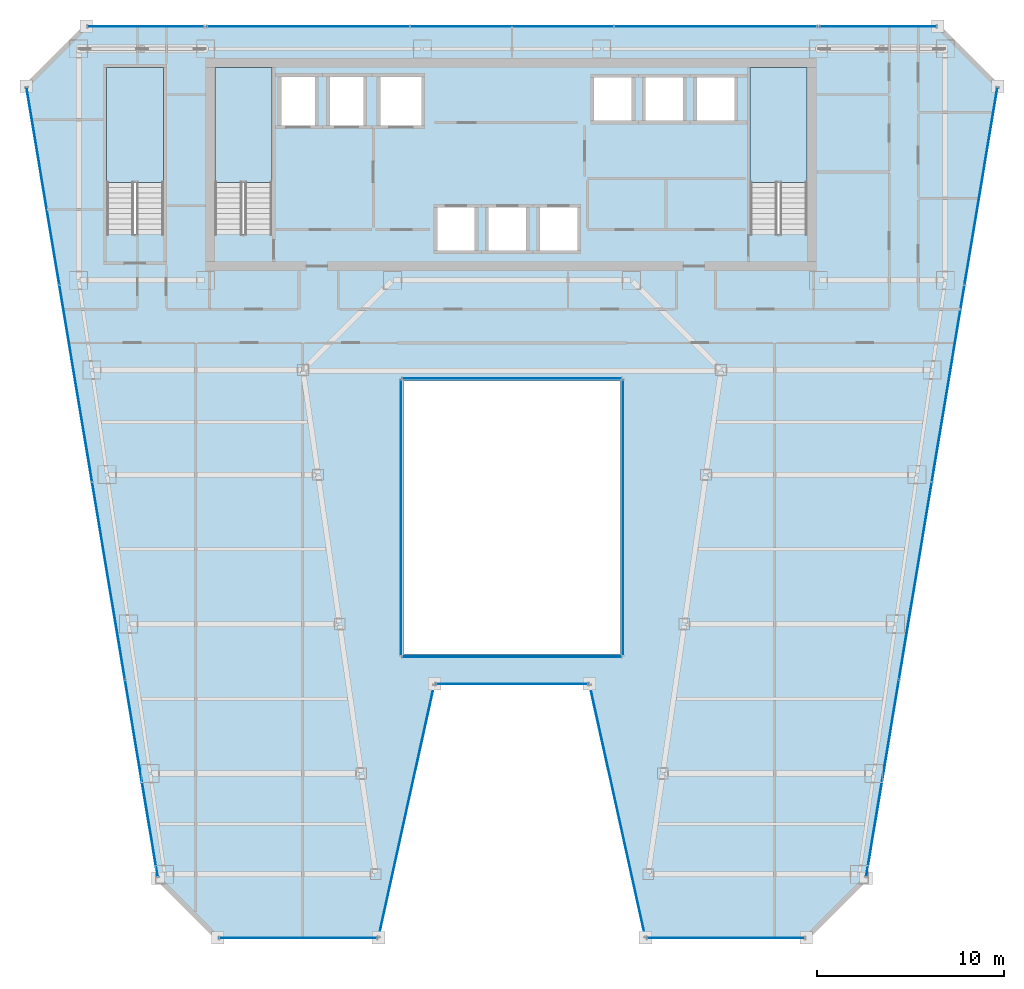
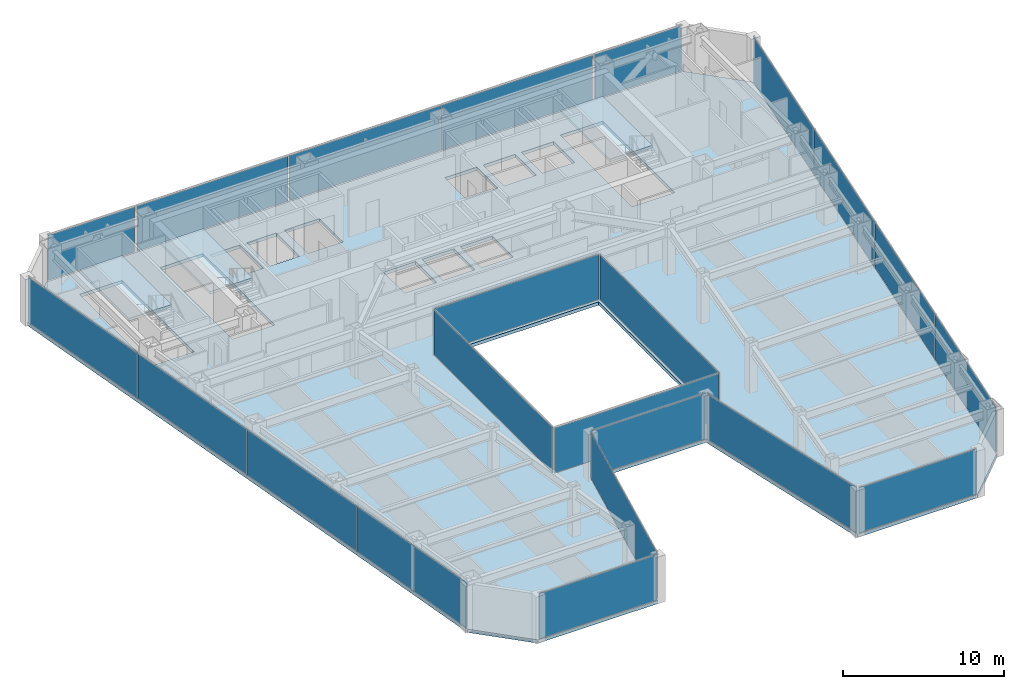
# One storey, part 29 of 37: 22 plates, 4 slabs, 17 elements without a shape of their own.
"""IFC4 building model written with IfcOpenShell, lengths in metres."""

from ifc_helpers import new_model, si_unit, direction, frame, origin, origin_2d, place, context, subcontext, project, spatial, polyline, rectangle, outline, extrude, material, layer, layer_set, type_object, element, aggregate, save


model = new_model("IFC4")

# Units and contexts
model_context = context("Model", 3, precision=1e-05, world=origin(), true_north=direction((0.0, 1.0)))
body_context = subcontext(model_context, "Body", "Model", "MODEL_VIEW")
ifc_project = project(units=[si_unit("LENGTHUNIT", "METRE"), si_unit("AREAUNIT", "SQUARE_METRE"), si_unit("VOLUMEUNIT", "CUBIC_METRE"), si_unit("PLANEANGLEUNIT", "RADIAN"), si_unit("MASSUNIT", "GRAM", prefix="KILO")], contexts=[model_context])

# Site, building, storey
site_placement = place(None, origin())
site = spatial("IfcSite", under=ifc_project, at=site_placement, CompositionType="ELEMENT")
building_placement = place(site_placement, origin())
building = spatial("IfcBuilding", under=site, at=building_placement, Name="Saevonmaru Cultural Tower", CompositionType="ELEMENT")
storey_placement = place(building_placement, frame((0.0, 0.0, 160.0)))
storey = spatial("IfcBuildingStorey", under=building, at=storey_placement, Name="L35", CompositionType="ELEMENT", Elevation=160.0)

# Curtain wall, plate
ifc_material_1 = material(Name="Satin Bronze Anodised Aluminium", Category="aluminium")
curtain_wall_type_1 = type_object("IfcCurtainWallType", Name="CW-ATR-GLZ", PredefinedType="NOTDEFINED", material=ifc_material_1)
curtain_wall_1_placement = place(storey_placement, origin())
curtain_wall_1 = element("IfcCurtainWall", 1, at=curtain_wall_1_placement, inside=storey, type_object=curtain_wall_type_1, Name="L35 Vertical Atrium Glazed Smoke Screen 1", PredefinedType="NOTDEFINED")
ifc_material_2 = material(Name="Fire-Rated Laminated Atrium Glass", Category="glass")
ifc_layer_1 = layer(ifc_material_2, 0.031982421875, Name="Fire-Rated Laminated Atrium Glass")
ifc_layer_set_1 = layer_set([ifc_layer_1], Name="Fire-Rated Laminated Atrium Glass")
plate_type_1 = type_object("IfcPlateType", Name="PN-GLZ-ATR-INT", PredefinedType="CURTAIN_PANEL", material=ifc_layer_set_1)
plate_1_placement = place(storey_placement, frame((30.0, 22.25, 0.06689453125), z_axis=(0.0, 0.0, 1.0), x_axis=(1.0, 0.0, 0.0)))
plate_1 = element("IfcPlate", 2, at=plate_1_placement, type_object=plate_type_1, Name="CW-ATR-L35-1 panel 1.1", PredefinedType="CURTAIN_PANEL", context=body_context, shape_type="SweptSolid", body=[
    extrude(rectangle(XDim=11.7109375, YDim=0.031982421875, at=origin_2d()), origin(), (0.0, 0.0, 1.0), 3.416015625),
])
aggregate(curtain_wall_1, [plate_1])

curtain_wall_2_placement = place(storey_placement, origin())
curtain_wall_2 = element("IfcCurtainWall", 3, at=curtain_wall_2_placement, inside=storey, type_object=curtain_wall_type_1, Name="L35 Vertical Atrium Glazed Smoke Screen 2", PredefinedType="NOTDEFINED")
plate_2_placement = place(storey_placement, frame((35.949951171875, 29.699951171875, 0.06689453125), z_axis=(0.0, 0.0, 1.0), x_axis=(0.0, 1.0, 0.0)))
plate_2 = element("IfcPlate", 4, at=plate_2_placement, type_object=plate_type_1, Name="CW-ATR-L35-2 panel 1.1", PredefinedType="CURTAIN_PANEL", context=body_context, shape_type="SweptSolid", body=[
    extrude(rectangle(XDim=14.7109375, YDim=0.031982421875, at=origin_2d()), origin(), (0.0, 0.0, 1.0), 3.416015625),
])
aggregate(curtain_wall_2, [plate_2])

curtain_wall_3_placement = place(storey_placement, origin())
curtain_wall_3 = element("IfcCurtainWall", 5, at=curtain_wall_3_placement, inside=storey, type_object=curtain_wall_type_1, Name="L35 Vertical Atrium Glazed Smoke Screen 3", PredefinedType="NOTDEFINED")
plate_3_placement = place(storey_placement, frame((30.0, 37.14990234375, 0.06689453125), z_axis=(0.0, 0.0, 1.0), x_axis=(-1.0, 0.0, 0.0)))
plate_3 = element("IfcPlate", 6, at=plate_3_placement, type_object=plate_type_1, Name="CW-ATR-L35-3 panel 1.1", PredefinedType="CURTAIN_PANEL", context=body_context, shape_type="SweptSolid", body=[
    extrude(rectangle(XDim=11.7109375, YDim=0.031982421875, at=origin_2d()), origin(), (0.0, 0.0, 1.0), 3.416015625),
])
aggregate(curtain_wall_3, [plate_3])

curtain_wall_4_placement = place(storey_placement, origin())
curtain_wall_4 = element("IfcCurtainWall", 7, at=curtain_wall_4_placement, inside=storey, type_object=curtain_wall_type_1, Name="L35 Vertical Atrium Glazed Smoke Screen 4", PredefinedType="NOTDEFINED")
plate_4_placement = place(storey_placement, frame((24.050048828125, 29.699951171875, 0.06689453125), z_axis=(0.0, 0.0, 1.0), x_axis=(0.0, -1.0, 0.0)))
plate_4 = element("IfcPlate", 8, at=plate_4_placement, type_object=plate_type_1, Name="CW-ATR-L35-4 panel 1.1", PredefinedType="CURTAIN_PANEL", context=body_context, shape_type="SweptSolid", body=[
    extrude(rectangle(XDim=14.7109375, YDim=0.031982421875, at=origin_2d()), origin(), (0.0, 0.0, 1.0), 3.416015625),
])
aggregate(curtain_wall_4, [plate_4])

curtain_wall_type_2 = type_object("IfcCurtainWallType", Name="CW-TYP-A", PredefinedType="NOTDEFINED", material=ifc_material_1)
curtain_wall_5_placement = place(storey_placement, origin())
curtain_wall_5 = element("IfcCurtainWall", 9, at=curtain_wall_5_placement, inside=storey, type_object=curtain_wall_type_2, Name="L35 Unitised Curtain Wall E2", PredefinedType="NOTDEFINED")
ifc_material_3 = material(Name="Triple Silver Low-E Insulating Glass", Category="glass")
ifc_layer_2 = layer(ifc_material_3, 0.035888671875, Name="Triple Silver Low-E Insulating Glass")
ifc_layer_set_2 = layer_set([ifc_layer_2], Name="Triple Silver Low-E Insulating Glass")
plate_type_2 = type_object("IfcPlateType", Name="PN-GLZ-IGU", PredefinedType="CURTAIN_PANEL", material=ifc_layer_set_2)
plate_5_placement = place(storey_placement, frame((18.548828125, 7.199951171875, 0.06689453125), z_axis=(0.0, 0.0, 1.0), x_axis=(1.0, 0.0, 0.0)))
plate_5 = element("IfcPlate", 10, at=plate_5_placement, type_object=plate_type_2, Name="CW-TW-L35-E2 panel 1.1", PredefinedType="CURTAIN_PANEL", context=body_context, shape_type="SweptSolid", body=[
    extrude(rectangle(XDim=8.410888671875, YDim=0.035888671875, at=origin_2d()), origin(), (0.0, 0.0, 1.0), 3.416015625),
])
aggregate(curtain_wall_5, [plate_5])

curtain_wall_6_placement = place(storey_placement, origin())
curtain_wall_6 = element("IfcCurtainWall", 11, at=curtain_wall_6_placement, inside=storey, type_object=curtain_wall_type_2, Name="L35 Unitised Curtain Wall E3", PredefinedType="NOTDEFINED")
plate_6_placement = place(storey_placement, frame((24.348876953125, 14.0, 0.06689453125), z_axis=(0.0, 0.0, 1.0), x_axis=(0.215413319953, 0.976522965212, 0.0)))
plate_6 = element("IfcPlate", 12, at=plate_6_placement, type_object=plate_type_2, Name="CW-TW-L35-E3 panel 1.1", PredefinedType="CURTAIN_PANEL", context=body_context, shape_type="SweptSolid", body=[
    extrude(rectangle(XDim=13.738037109375, YDim=0.035888671875, at=origin_2d()), origin(), (0.0, 0.0, 1.0), 3.416015625),
])
aggregate(curtain_wall_6, [plate_6])

curtain_wall_7_placement = place(storey_placement, origin())
curtain_wall_7 = element("IfcCurtainWall", 13, at=curtain_wall_7_placement, inside=storey, type_object=curtain_wall_type_2, Name="L35 Unitised Curtain Wall E4", PredefinedType="NOTDEFINED")
plate_7_placement = place(storey_placement, frame((30.0, 20.800048828125, 0.06689453125), z_axis=(0.0, 0.0, 1.0), x_axis=(1.0, 0.0, 0.0)))
plate_7 = element("IfcPlate", 14, at=plate_7_placement, type_object=plate_type_2, Name="CW-TW-L35-E4 panel 1.1", PredefinedType="CURTAIN_PANEL", context=body_context, shape_type="SweptSolid", body=[
    extrude(rectangle(XDim=8.11328125, YDim=0.035888671875, at=origin_2d()), origin(), (0.0, 0.0, 1.0), 3.416015625),
])
aggregate(curtain_wall_7, [plate_7])

curtain_wall_8_placement = place(storey_placement, origin())
curtain_wall_8 = element("IfcCurtainWall", 15, at=curtain_wall_8_placement, inside=storey, type_object=curtain_wall_type_2, Name="L35 Unitised Curtain Wall E5", PredefinedType="NOTDEFINED")
plate_8_placement = place(storey_placement, frame((35.651123046875, 14.0, 0.06689453125), z_axis=(0.0, 0.0, 1.0), x_axis=(0.215413319953, -0.976522965212, 0.0)))
plate_8 = element("IfcPlate", 16, at=plate_8_placement, type_object=plate_type_2, Name="CW-TW-L35-E5 panel 1.1", PredefinedType="CURTAIN_PANEL", context=body_context, shape_type="SweptSolid", body=[
    extrude(rectangle(XDim=13.738037109375, YDim=0.035888671875, at=origin_2d()), origin(), (0.0, 0.0, 1.0), 3.416015625),
])
aggregate(curtain_wall_8, [plate_8])

curtain_wall_9_placement = place(storey_placement, origin())
curtain_wall_9 = element("IfcCurtainWall", 17, at=curtain_wall_9_placement, inside=storey, type_object=curtain_wall_type_2, Name="L35 Unitised Curtain Wall E6", PredefinedType="NOTDEFINED")
plate_9_placement = place(storey_placement, frame((41.451171875, 7.199951171875, 0.06689453125), z_axis=(0.0, 0.0, 1.0), x_axis=(1.0, 0.0, 0.0)))
plate_9 = element("IfcPlate", 18, at=plate_9_placement, type_object=plate_type_2, Name="CW-TW-L35-E6 panel 1.1", PredefinedType="CURTAIN_PANEL", context=body_context, shape_type="SweptSolid", body=[
    extrude(rectangle(XDim=8.410888671875, YDim=0.035888671875, at=origin_2d()), origin(), (0.0, 0.0, 1.0), 3.416015625),
])
aggregate(curtain_wall_9, [plate_9])

# Curtain wall, plates
curtain_wall_10_placement = place(storey_placement, origin())
curtain_wall_10 = element("IfcCurtainWall", 19, at=curtain_wall_10_placement, inside=storey, type_object=curtain_wall_type_2, Name="L35 Unitised Curtain Wall E8", PredefinedType="NOTDEFINED")
plate_10_placement = place(storey_placement, frame((49.839599609375, 15.744384765625, 0.06689453125), z_axis=(0.0, 0.0, 1.0), x_axis=(0.163998702345, 0.986460554523, 0.0)))
plate_10 = element("IfcPlate", 20, at=plate_10_placement, type_object=plate_type_2, Name="CW-TW-L35-E8 panel 1.1", PredefinedType="CURTAIN_PANEL", context=body_context, shape_type="SweptSolid", body=[
    extrude(rectangle(XDim=10.646484375, YDim=0.035888671875, at=origin_2d()), origin(), (0.0, 0.0, 1.0), 3.416015625),
])
plate_11_placement = place(storey_placement, frame((51.596923828125, 26.314697265625, 0.06689453125), z_axis=(0.0, 0.0, 1.0), x_axis=(0.163998702345, 0.986460554523, 0.0)))
plate_11 = element("IfcPlate", 21, at=plate_11_placement, type_object=plate_type_2, Name="CW-TW-L35-E8 panel 2.1", PredefinedType="CURTAIN_PANEL", context=body_context, shape_type="SweptSolid", body=[
    extrude(rectangle(XDim=10.646484375, YDim=0.035888671875, at=origin_2d()), origin(), (0.0, 0.0, 1.0), 3.416015625),
])
plate_12_placement = place(storey_placement, frame((53.354248046875, 36.88525390625, 0.06689453125), z_axis=(0.0, 0.0, 1.0), x_axis=(0.163998702345, 0.986460554523, 0.0)))
plate_12 = element("IfcPlate", 22, at=plate_12_placement, type_object=plate_type_2, Name="CW-TW-L35-E8 panel 3.1", PredefinedType="CURTAIN_PANEL", context=body_context, shape_type="SweptSolid", body=[
    extrude(rectangle(XDim=10.646484375, YDim=0.035888671875, at=origin_2d()), origin(), (0.0, 0.0, 1.0), 3.416015625),
])
plate_13_placement = place(storey_placement, frame((55.111572265625, 47.45556640625, 0.06689453125), z_axis=(0.0, 0.0, 1.0), x_axis=(0.163998702345, 0.986460554523, 0.0)))
plate_13 = element("IfcPlate", 23, at=plate_13_placement, type_object=plate_type_2, Name="CW-TW-L35-E8 panel 4.1", PredefinedType="CURTAIN_PANEL", context=body_context, shape_type="SweptSolid", body=[
    extrude(rectangle(XDim=10.646484375, YDim=0.035888671875, at=origin_2d()), origin(), (0.0, 0.0, 1.0), 3.416015625),
])
aggregate(curtain_wall_10, [plate_10, plate_11, plate_12, plate_13])

curtain_wall_11_placement = place(storey_placement, origin())
curtain_wall_11 = element("IfcCurtainWall", 24, at=curtain_wall_11_placement, inside=storey, type_object=curtain_wall_type_2, Name="L35 North Spine Unitised Curtain Wall E10B", PredefinedType="NOTDEFINED")
plate_14_placement = place(storey_placement, frame((40.893310546875, 56.0, 0.06689453125), z_axis=(0.0, 0.0, 1.0), x_axis=(-1.0, 0.0, 0.0)))
plate_14 = element("IfcPlate", 25, at=plate_14_placement, type_object=plate_type_2, Name="CW-TW-L35-E10B panel 1.1", PredefinedType="CURTAIN_PANEL", context=body_context, shape_type="SweptSolid", body=[
    extrude(rectangle(XDim=10.82421875, YDim=0.035888671875, at=origin_2d()), origin(), (0.0, 0.0, 1.0), 3.416015625),
])
plate_15_placement = place(storey_placement, frame((30.0, 56.0, 0.06689453125), z_axis=(0.0, 0.0, 1.0), x_axis=(-1.0, 0.0, 0.0)))
plate_15 = element("IfcPlate", 26, at=plate_15_placement, type_object=plate_type_2, Name="CW-TW-L35-E10B panel 2.1", PredefinedType="CURTAIN_PANEL", context=body_context, shape_type="SweptSolid", body=[
    extrude(rectangle(XDim=10.82421875, YDim=0.035888671875, at=origin_2d()), origin(), (0.0, 0.0, 1.0), 3.416015625),
])
plate_16_placement = place(storey_placement, frame((19.106689453125, 56.0, 0.06689453125), z_axis=(0.0, 0.0, 1.0), x_axis=(-1.0, 0.0, 0.0)))
plate_16 = element("IfcPlate", 27, at=plate_16_placement, type_object=plate_type_2, Name="CW-TW-L35-E10B panel 3.1", PredefinedType="CURTAIN_PANEL", context=body_context, shape_type="SweptSolid", body=[
    extrude(rectangle(XDim=10.82421875, YDim=0.035888671875, at=origin_2d()), origin(), (0.0, 0.0, 1.0), 3.416015625),
])
aggregate(curtain_wall_11, [plate_14, plate_15, plate_16])

curtain_wall_12_placement = place(storey_placement, origin())
curtain_wall_12 = element("IfcCurtainWall", 28, at=curtain_wall_12_placement, inside=storey, type_object=curtain_wall_type_2, Name="L35 Unitised Curtain Wall E12", PredefinedType="NOTDEFINED")
plate_17_placement = place(storey_placement, frame((4.888427734375, 47.45556640625, 0.06689453125), z_axis=(0.0, 0.0, 1.0), x_axis=(0.163998702345, -0.986460554523, 0.0)))
plate_17 = element("IfcPlate", 29, at=plate_17_placement, type_object=plate_type_2, Name="CW-TW-L35-E12 panel 1.1", PredefinedType="CURTAIN_PANEL", context=body_context, shape_type="SweptSolid", body=[
    extrude(rectangle(XDim=10.646484375, YDim=0.035888671875, at=origin_2d()), origin(), (0.0, 0.0, 1.0), 3.416015625),
])
plate_18_placement = place(storey_placement, frame((6.645751953125, 36.88525390625, 0.06689453125), z_axis=(0.0, 0.0, 1.0), x_axis=(0.163998702345, -0.986460554523, 0.0)))
plate_18 = element("IfcPlate", 30, at=plate_18_placement, type_object=plate_type_2, Name="CW-TW-L35-E12 panel 2.1", PredefinedType="CURTAIN_PANEL", context=body_context, shape_type="SweptSolid", body=[
    extrude(rectangle(XDim=10.646484375, YDim=0.035888671875, at=origin_2d()), origin(), (0.0, 0.0, 1.0), 3.416015625),
])
plate_19_placement = place(storey_placement, frame((8.403076171875, 26.314697265625, 0.06689453125), z_axis=(0.0, 0.0, 1.0), x_axis=(0.163998702345, -0.986460554523, 0.0)))
plate_19 = element("IfcPlate", 31, at=plate_19_placement, type_object=plate_type_2, Name="CW-TW-L35-E12 panel 3.1", PredefinedType="CURTAIN_PANEL", context=body_context, shape_type="SweptSolid", body=[
    extrude(rectangle(XDim=10.646484375, YDim=0.035888671875, at=origin_2d()), origin(), (0.0, 0.0, 1.0), 3.416015625),
])
plate_20_placement = place(storey_placement, frame((10.160400390625, 15.744384765625, 0.06689453125), z_axis=(0.0, 0.0, 1.0), x_axis=(0.163998702345, -0.986460554523, 0.0)))
plate_20 = element("IfcPlate", 32, at=plate_20_placement, type_object=plate_type_2, Name="CW-TW-L35-E12 panel 4.1", PredefinedType="CURTAIN_PANEL", context=body_context, shape_type="SweptSolid", body=[
    extrude(rectangle(XDim=10.646484375, YDim=0.035888671875, at=origin_2d()), origin(), (0.0, 0.0, 1.0), 3.416015625),
])
aggregate(curtain_wall_12, [plate_17, plate_18, plate_19, plate_20])

# Curtain wall, plate
curtain_wall_13_placement = place(storey_placement, origin())
curtain_wall_13 = element("IfcCurtainWall", 33, at=curtain_wall_13_placement, inside=storey, type_object=curtain_wall_type_2, Name="L35 East Braced Bay Spandrel Curtain Wall E10A", PredefinedType="NOTDEFINED")
ifc_material_4 = material(Name="Insulated Satin Bronze Aluminium Spandrel Panel", Category="aluminium")
ifc_layer_3 = layer(ifc_material_4, 0.0400390625, Name="Insulated Satin Bronze Aluminium Spandrel Panel")
ifc_layer_set_3 = layer_set([ifc_layer_3], Name="Insulated Satin Bronze Aluminium Spandrel Panel")
plate_type_3 = type_object("IfcPlateType", Name="PN-SPANDREL-BRONZE", PredefinedType="CURTAIN_PANEL", material=ifc_layer_set_3)
plate_21_placement = place(storey_placement, frame((49.60009765625, 56.0, 0.06689453125), z_axis=(0.0, 0.0, 1.0), x_axis=(-1.0, 0.0, 0.0)))
plate_21 = element("IfcPlate", 34, at=plate_21_placement, type_object=plate_type_3, Name="CW-TW-L35-E10A panel 1.1", PredefinedType="CURTAIN_PANEL", context=body_context, shape_type="SweptSolid", body=[
    extrude(rectangle(XDim=6.2109375, YDim=0.035888671875, at=origin_2d()), origin(), (0.0, 0.0, 1.0), 3.416015625),
])
aggregate(curtain_wall_13, [plate_21])

curtain_wall_14_placement = place(storey_placement, origin())
curtain_wall_14 = element("IfcCurtainWall", 35, at=curtain_wall_14_placement, inside=storey, type_object=curtain_wall_type_2, Name="L35 West Braced Bay Spandrel Curtain Wall E10C", PredefinedType="NOTDEFINED")
plate_22_placement = place(storey_placement, frame((10.39990234375, 56.0, 0.06689453125), z_axis=(0.0, 0.0, 1.0), x_axis=(-1.0, 0.0, 0.0)))
plate_22 = element("IfcPlate", 36, at=plate_22_placement, type_object=plate_type_3, Name="CW-TW-L35-E10C panel 1.1", PredefinedType="CURTAIN_PANEL", context=body_context, shape_type="SweptSolid", body=[
    extrude(rectangle(XDim=6.2109375, YDim=0.035888671875, at=origin_2d()), origin(), (0.0, 0.0, 1.0), 3.416015625),
])
aggregate(curtain_wall_14, [plate_22])

# Slab
ifc_material_5 = material(Name="Concrete C40/50", Category="concrete")
ifc_layer_4 = layer(ifc_material_5, 0.25, Name="Concrete C40/50")
ifc_layer_set_4 = layer_set([ifc_layer_4], Name="Concrete C40/50")
slab_type_1 = type_object("IfcSlabType", Name="SL-FLR-250", PredefinedType="FLOOR", material=ifc_layer_set_4)
slab_1_placement = place(storey_placement, frame((0.0, 0.0, -0.25)))
element("IfcSlab", 37, at=slab_1_placement, inside=storey, type_object=slab_type_1, Name="L35 Tower Structural Floor Slab", PredefinedType="FLOOR", context=body_context, shape_type="SweptSolid", body=[
    extrude(outline(polyline([(11.048828125, 10.39990234375), (14.248779296875, 7.199951171875), (22.848876953125, 7.199951171875), (25.848876953125, 20.800048828125), (34.151123046875, 20.800048828125), (37.151123046875, 7.199951171875), (45.751220703125, 7.199951171875), (48.951171875, 10.39990234375), (56.0, 52.800048828125), (52.800048828125, 56.0), (7.199951171875, 56.0), (4.0, 52.800048828125), (11.048828125, 10.39990234375)]), holes=[polyline([(45.800048828125, 44.875), (42.75, 44.875), (42.75, 53.800048828125), (45.800048828125, 53.800048828125), (45.800048828125, 44.875)]), polyline([(39.75, 50.800048828125), (39.75, 53.39990234375), (42.050048828125, 53.39990234375), (42.050048828125, 50.800048828125), (39.75, 50.800048828125)]), polyline([(37.0, 50.800048828125), (37.0, 53.39990234375), (39.300048828125, 53.39990234375), (39.300048828125, 50.800048828125), (37.0, 50.800048828125)]), polyline([(34.25, 50.800048828125), (34.25, 53.39990234375), (36.550048828125, 53.39990234375), (36.550048828125, 50.800048828125), (34.25, 50.800048828125)]), polyline([(24.199951171875, 22.39990234375), (24.199951171875, 37.0), (35.800048828125, 37.0), (35.800048828125, 22.39990234375), (24.199951171875, 22.39990234375)]), polyline([(31.35009765625, 43.85009765625), (31.35009765625, 46.449951171875), (33.64990234375, 46.449951171875), (33.64990234375, 43.85009765625), (31.35009765625, 43.85009765625)]), polyline([(28.60009765625, 43.85009765625), (28.60009765625, 46.449951171875), (30.89990234375, 46.449951171875), (30.89990234375, 43.85009765625), (28.60009765625, 43.85009765625)]), polyline([(28.14990234375, 43.85009765625), (25.85009765625, 43.85009765625), (25.85009765625, 46.449951171875), (28.14990234375, 46.449951171875), (28.14990234375, 43.85009765625)]), polyline([(25.300048828125, 50.550048828125), (22.800048828125, 50.550048828125), (22.800048828125, 53.449951171875), (25.300048828125, 53.449951171875), (25.300048828125, 50.550048828125)]), polyline([(20.10009765625, 50.550048828125), (20.10009765625, 53.449951171875), (22.199951171875, 53.449951171875), (22.199951171875, 50.550048828125), (20.10009765625, 50.550048828125)]), polyline([(17.5, 50.550048828125), (17.5, 53.449951171875), (19.60009765625, 53.449951171875), (19.60009765625, 50.550048828125), (17.5, 50.550048828125)]), polyline([(17.14990234375, 53.800048828125), (17.14990234375, 44.875), (14.10009765625, 44.875), (14.10009765625, 53.800048828125), (17.14990234375, 53.800048828125)]), polyline([(11.35009765625, 44.875), (8.300048828125, 44.875), (8.300048828125, 53.800048828125), (11.35009765625, 53.800048828125), (11.35009765625, 44.875)])]), origin(), (0.0, 0.0, 1.0), 0.25),
])

# Stair, slab
stair_type = type_object("IfcStairType", Name="STR-DOGLEG-RC", PredefinedType="HALF_TURN_STAIR", material=ifc_material_5)
stair_1_placement = place(storey_placement, origin())
stair_1 = element("IfcStair", 38, at=stair_1_placement, inside=storey, type_object=stair_type, Name="L35 Protected exit stair ST-1", PredefinedType="HALF_TURN_STAIR")
ifc_layer_5 = layer(ifc_material_5, 0.199951171875, Name="Concrete C40/50")
ifc_layer_set_5 = layer_set([ifc_layer_5], Name="Concrete C40/50")
slab_type_2 = type_object("IfcSlabType", Name="SL-STAIR-LANDING", PredefinedType="LANDING", material=ifc_layer_set_5)
slab_2_placement = place(storey_placement, frame((0.0, 0.0, 1.699951171875)))
slab_2 = element("IfcSlab", 39, at=slab_2_placement, type_object=slab_type_2, Name="ST-1-L35 landing 1", PredefinedType="LANDING", context=body_context, shape_type="SweptSolid", body=[
    extrude(outline(polyline([(17.14990234375, 47.64990234375), (17.14990234375, 53.800048828125), (14.10009765625, 53.800048828125), (14.10009765625, 47.64990234375), (17.14990234375, 47.64990234375)])), origin(), (0.0, 0.0, 1.0), 0.199951171875),
])
aggregate(stair_1, [slab_2])

stair_2_placement = place(storey_placement, origin())
stair_2 = element("IfcStair", 40, at=stair_2_placement, inside=storey, type_object=stair_type, Name="L35 Protected exit stair ST-2", PredefinedType="HALF_TURN_STAIR")
slab_3_placement = place(storey_placement, frame((0.0, 0.0, 1.699951171875)))
slab_3 = element("IfcSlab", 41, at=slab_3_placement, type_object=slab_type_2, Name="ST-2-L35 landing 1", PredefinedType="LANDING", context=body_context, shape_type="SweptSolid", body=[
    extrude(outline(polyline([(45.800048828125, 47.64990234375), (45.800048828125, 53.800048828125), (42.75, 53.800048828125), (42.75, 47.64990234375), (45.800048828125, 47.64990234375)])), origin(), (0.0, 0.0, 1.0), 0.199951171875),
])
aggregate(stair_2, [slab_3])

stair_3_placement = place(storey_placement, origin())
stair_3 = element("IfcStair", 42, at=stair_3_placement, inside=storey, type_object=stair_type, Name="L35 Protected exit stair ST-3", PredefinedType="HALF_TURN_STAIR")
slab_4_placement = place(storey_placement, frame((0.0, 0.0, 1.699951171875)))
slab_4 = element("IfcSlab", 43, at=slab_4_placement, type_object=slab_type_2, Name="ST-3-L35 landing 1", PredefinedType="LANDING", context=body_context, shape_type="SweptSolid", body=[
    extrude(outline(polyline([(11.35009765625, 47.64990234375), (11.35009765625, 53.800048828125), (8.300048828125, 53.800048828125), (8.300048828125, 47.64990234375), (11.35009765625, 47.64990234375)])), origin(), (0.0, 0.0, 1.0), 0.199951171875),
])
aggregate(stair_3, [slab_4])

save(model, "model.ifc")
